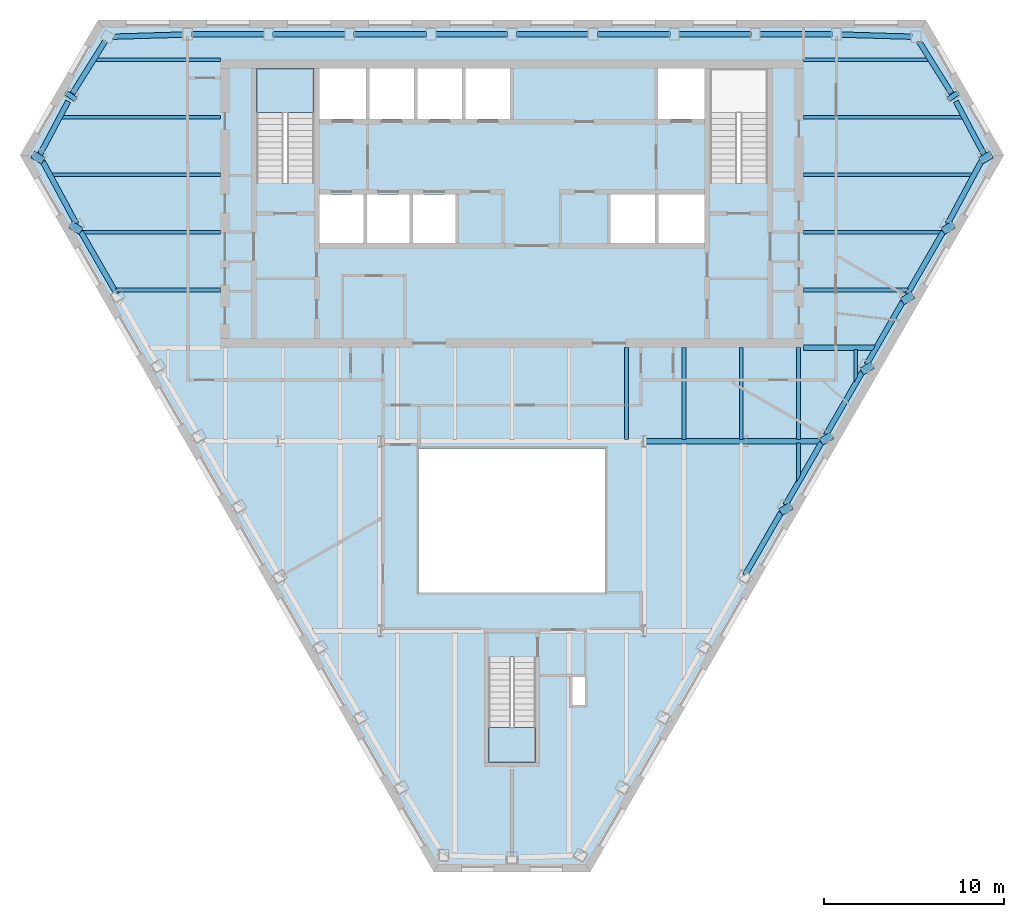
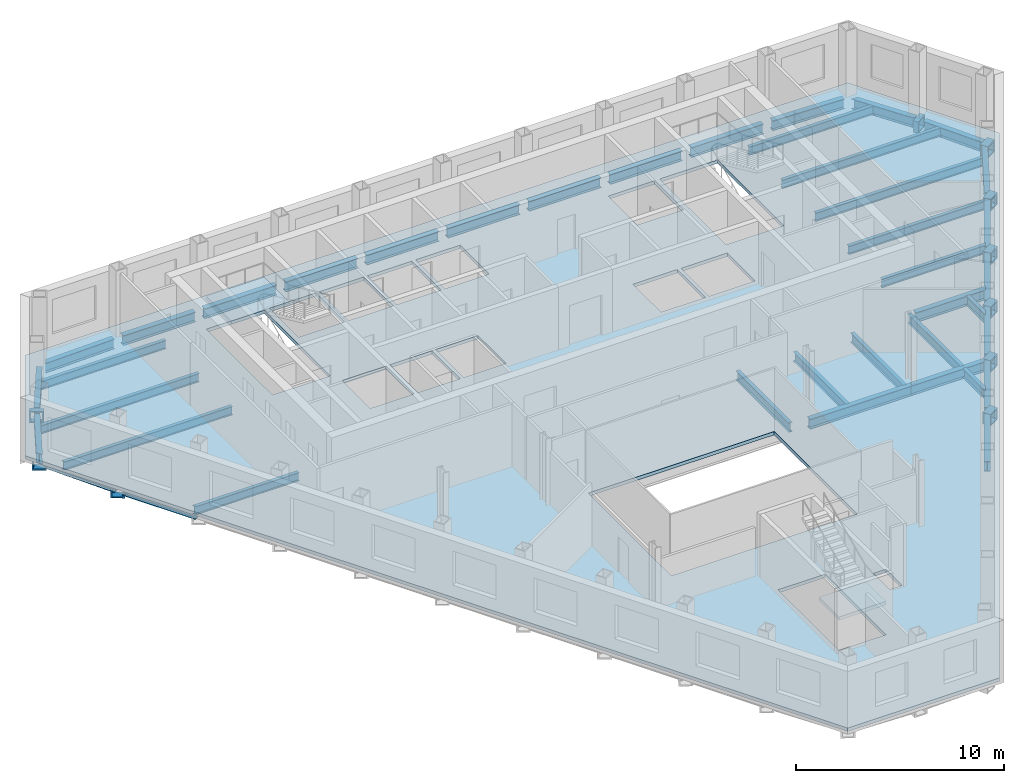
# One storey, part 3 of 11: 51 beams, 3 slabs, 2 elements without a shape of their own.
"""IFC4 building model written with IfcOpenShell, lengths in metres."""

from ifc_helpers import new_model, si_unit, direction, frame, origin, origin_2d, place, context, subcontext, project, spatial, polyline, hollow_rectangle, i_section, outline, extrude, clip, halfspace, material, layer, layer_set, material_profile, profile_set, type_object, element, aggregate, save


model = new_model("IFC4")

# Units and contexts
model_context = context("Model", 3, precision=1e-05, world=origin(), true_north=direction((0.0, 1.0)))
body_context = subcontext(model_context, "Body", "Model", "MODEL_VIEW")
ifc_project = project(units=[si_unit("LENGTHUNIT", "METRE"), si_unit("AREAUNIT", "SQUARE_METRE"), si_unit("VOLUMEUNIT", "CUBIC_METRE"), si_unit("PLANEANGLEUNIT", "RADIAN"), si_unit("MASSUNIT", "GRAM", prefix="KILO")], contexts=[model_context])

# Site, building, storey
site_placement = place(None, origin())
site = spatial("IfcSite", under=ifc_project, at=site_placement, CompositionType="ELEMENT")
building_placement = place(site_placement, origin())
building = spatial("IfcBuilding", under=site, at=building_placement, Name="Njiva Tower", CompositionType="ELEMENT")
storey_placement = place(building_placement, frame((0.0, 0.0, 151.5)))
storey = spatial("IfcBuildingStorey", under=building, at=storey_placement, Name="L32", CompositionType="ELEMENT", Elevation=151.5)

# Beams
ifc_material_1 = material(Name="Steel S355 J2", Category="steel")
ifc_material_profile_1 = material_profile(ifc_material_1, hollow_rectangle(XDim=0.7, YDim=0.7, WallThickness=0.08, at=origin_2d()), Name="BOX 700x700x80")
ifc_profile_set_1 = profile_set([ifc_material_profile_1], Name="Steel S355 J2")
beam_type_1 = type_object("IfcBeamType", Name="B19 Column jog beam BOX 700x700x80", PredefinedType="BEAM", material=ifc_profile_set_1)
beam_1_placement = place(storey_placement, frame((-24.59, 15.862, -0.55), z_axis=(0.550486638041, 0.834843974248, 0.0), x_axis=(-0.834843974248, 0.550486638041, 0.0)))
element("IfcBeam", 1, at=beam_1_placement, inside=storey, type_object=beam_type_1, Name="Column jog beam S11-B024", PredefinedType="BEAM", context=body_context, shape_type="SweptSolid", body=[
    extrude(hollow_rectangle(XDim=0.7, YDim=0.7, WallThickness=0.08, at=origin_2d()), origin(), (0.0, 0.0, 1.0), 0.2743),
])
beam_2_placement = place(storey_placement, frame((-26.449, 12.372, -0.55), z_axis=(0.522782921539, 0.852465845032, 0.0), x_axis=(-0.852465845032, 0.522782921539, 0.0)))
element("IfcBeam", 2, at=beam_2_placement, inside=storey, type_object=beam_type_1, Name="Column jog beam S11-B023", PredefinedType="BEAM", context=body_context, shape_type="SweptSolid", body=[
    extrude(hollow_rectangle(XDim=0.7, YDim=0.7, WallThickness=0.08, at=origin_2d()), origin(), (0.0, 0.0, 1.0), 0.4247),
])
beam_3_placement = place(storey_placement, frame((-24.348, 8.468, -0.55), z_axis=(0.52002159304, 0.85415311436, 0.0), x_axis=(-0.85415311436, 0.52002159304, 0.0)))
element("IfcBeam", 3, at=beam_3_placement, inside=storey, type_object=beam_type_1, Name="Column jog beam S11-B025", PredefinedType="BEAM", context=body_context, shape_type="SweptSolid", body=[
    extrude(hollow_rectangle(XDim=0.7, YDim=0.7, WallThickness=0.08, at=origin_2d()), origin(), (0.0, 0.0, 1.0), 0.425),
])
beam_4_placement = place(storey_placement, frame((15.33, -7.152, -0.55), z_axis=(-0.499387282788, 0.866378867349, 0.0), x_axis=(-0.866378867349, -0.499387282788, 0.0)))
element("IfcBeam", 4, at=beam_4_placement, inside=storey, type_object=beam_type_1, Name="Column jog beam S11-B045", PredefinedType="BEAM", context=body_context, shape_type="SweptSolid", body=[
    extrude(hollow_rectangle(XDim=0.7, YDim=0.7, WallThickness=0.08, at=origin_2d()), origin(), (0.0, 0.0, 1.0), 0.4305),
])
beam_5_placement = place(storey_placement, frame((17.584, -3.247, -0.55), z_axis=(-0.504161245348, 0.863609540643, 0.0), x_axis=(-0.863609540643, -0.504161245348, 0.0)))
element("IfcBeam", 5, at=beam_5_placement, inside=storey, type_object=beam_type_1, Name="Column jog beam S11-B046", PredefinedType="BEAM", context=body_context, shape_type="SweptSolid", body=[
    extrude(hollow_rectangle(XDim=0.7, YDim=0.7, WallThickness=0.08, at=origin_2d()), origin(), (0.0, 0.0, 1.0), 0.4284),
])
beam_6_placement = place(storey_placement, frame((19.839, 0.657, -0.55), z_axis=(-0.510377209409, 0.859950640511, 0.0), x_axis=(-0.859950640511, -0.510377209409, 0.0)))
element("IfcBeam", 6, at=beam_6_placement, inside=storey, type_object=beam_type_1, Name="Column jog beam S11-B047", PredefinedType="BEAM", context=body_context, shape_type="SweptSolid", body=[
    extrude(hollow_rectangle(XDim=0.7, YDim=0.7, WallThickness=0.08, at=origin_2d()), origin(), (0.0, 0.0, 1.0), 0.4291),
])
beam_7_placement = place(storey_placement, frame((22.094, 4.563, -0.55), z_axis=(-0.516220048366, 0.856455989334, 0.0), x_axis=(-0.856455989334, -0.516220048366, 0.0)))
element("IfcBeam", 7, at=beam_7_placement, inside=storey, type_object=beam_type_1, Name="Column jog beam S11-B048", PredefinedType="BEAM", context=body_context, shape_type="SweptSolid", body=[
    extrude(hollow_rectangle(XDim=0.7, YDim=0.7, WallThickness=0.08, at=origin_2d()), origin(), (0.0, 0.0, 1.0), 0.4262),
])
beam_8_placement = place(storey_placement, frame((24.348, 8.468, -0.55), z_axis=(-0.52002159304, 0.85415311436, 0.0), x_axis=(-0.85415311436, -0.52002159304, 0.0)))
element("IfcBeam", 8, at=beam_8_placement, inside=storey, type_object=beam_type_1, Name="Column jog beam S11-B049", PredefinedType="BEAM", context=body_context, shape_type="SweptSolid", body=[
    extrude(hollow_rectangle(XDim=0.7, YDim=0.7, WallThickness=0.08, at=origin_2d()), origin(), (0.0, 0.0, 1.0), 0.425),
])
beam_9_placement = place(storey_placement, frame((26.449, 12.372, -0.55), z_axis=(-0.522782921539, 0.852465845032, 0.0), x_axis=(-0.852465845032, -0.522782921539, 0.0)))
element("IfcBeam", 9, at=beam_9_placement, inside=storey, type_object=beam_type_1, Name="Column jog beam S11-B051", PredefinedType="BEAM", context=body_context, shape_type="SweptSolid", body=[
    extrude(hollow_rectangle(XDim=0.7, YDim=0.7, WallThickness=0.08, at=origin_2d()), origin(), (0.0, 0.0, 1.0), 0.4247),
])
beam_10_placement = place(storey_placement, frame((24.59, 15.862, -0.55), z_axis=(-0.550486638041, 0.834843974248, 0.0), x_axis=(-0.834843974248, -0.550486638041, 0.0)))
element("IfcBeam", 10, at=beam_10_placement, inside=storey, type_object=beam_type_1, Name="Column jog beam S11-B050", PredefinedType="BEAM", context=body_context, shape_type="SweptSolid", body=[
    extrude(hollow_rectangle(XDim=0.7, YDim=0.7, WallThickness=0.08, at=origin_2d()), origin(), (0.0, 0.0, 1.0), 0.2743),
])
ifc_material_profile_2 = material_profile(ifc_material_1, i_section(OverallWidth=0.2, OverallDepth=0.5, WebThickness=0.0102, FlangeThickness=0.016, at=origin_2d()), Name="IPE 500")
ifc_profile_set_2 = profile_set([ifc_material_profile_2], Name="Steel S355 J2")
beam_type_2 = type_object("IfcBeamType", Name="B24 Floor beam to the core IPE 500", PredefinedType="BEAM", material=ifc_profile_set_2)
beam_11_placement = place(storey_placement, frame((-22.054, 5.2, -0.45), z_axis=(1.0, 0.0, 0.0), x_axis=(0.0, 1.0, 0.0)))
element("IfcBeam", 11, at=beam_11_placement, inside=storey, type_object=beam_type_2, Name="Floor beam to the core S11-B006", PredefinedType="BEAM", context=body_context, shape_type="Clipping", body=[
    clip(extrude(i_section(OverallWidth=0.2, OverallDepth=0.5, WebThickness=0.0102, FlangeThickness=0.016, at=origin_2d()), origin(), (0.0, 0.0, 1.0), 5.854), halfspace(frame((-0.025, 0.0, 0.0929), z_axis=(-0.499998009787, 0.0, -0.866026552831), x_axis=(0.0, -1.0, 0.0)), False)),
])
beam_12_placement = place(storey_placement, frame((16.2, 5.2, -0.45), z_axis=(1.0, 0.0, 0.0), x_axis=(0.0, 1.0, 0.0)))
element("IfcBeam", 12, at=beam_12_placement, inside=storey, type_object=beam_type_2, Name="Floor beam to the core S11-B007", PredefinedType="BEAM", context=body_context, shape_type="Clipping", body=[
    clip(extrude(i_section(OverallWidth=0.2, OverallDepth=0.5, WebThickness=0.0102, FlangeThickness=0.016, at=origin_2d()), origin(), (0.0, 0.0, 1.0), 5.854), halfspace(frame((-0.025, 0.0, 5.7611), z_axis=(-0.499998009787, 0.0, 0.866026552831), x_axis=(0.0, 1.0, 0.0)), False)),
])
beam_13_placement = place(storey_placement, frame((-24.216, 8.4, -0.45), z_axis=(1.0, 0.0, 0.0), x_axis=(0.0, 1.0, 0.0)))
element("IfcBeam", 13, at=beam_13_placement, inside=storey, type_object=beam_type_2, Name="Floor beam to the core S11-B003", PredefinedType="BEAM", context=body_context, shape_type="Clipping", body=[
    clip(extrude(i_section(OverallWidth=0.2, OverallDepth=0.5, WebThickness=0.0102, FlangeThickness=0.016, at=origin_2d()), origin(), (0.0, 0.0, 1.0), 8.016), halfspace(frame((0.0433, 0.0, 0.2679), z_axis=(0.866026552831, 0.0, -0.499998009787), x_axis=(0.0, -1.0, 0.0)), False)),
])
beam_14_placement = place(storey_placement, frame((16.2, 8.4, -0.45), z_axis=(1.0, 0.0, 0.0), x_axis=(0.0, 1.0, 0.0)))
element("IfcBeam", 14, at=beam_14_placement, inside=storey, type_object=beam_type_2, Name="Floor beam to the core S11-B009", PredefinedType="BEAM", context=body_context, shape_type="Clipping", body=[
    clip(extrude(i_section(OverallWidth=0.2, OverallDepth=0.5, WebThickness=0.0102, FlangeThickness=0.016, at=origin_2d()), origin(), (0.0, 0.0, 1.0), 8.016), halfspace(frame((0.0433, 0.0, 7.7481), z_axis=(0.866026552831, 0.0, 0.499998009787), x_axis=(0.0, 1.0, 0.0)), False)),
])
beam_15_placement = place(storey_placement, frame((-25.635, 11.6, -0.45), z_axis=(1.0, 0.0, 0.0), x_axis=(0.0, 1.0, 0.0)))
element("IfcBeam", 15, at=beam_15_placement, inside=storey, type_object=beam_type_2, Name="Floor beam to the core S11-B001", PredefinedType="BEAM", context=body_context, shape_type="Clipping", body=[
    clip(extrude(i_section(OverallWidth=0.2, OverallDepth=0.5, WebThickness=0.0102, FlangeThickness=0.016, at=origin_2d()), origin(), (0.0, 0.0, 1.0), 9.435), halfspace(frame((-0.0237, 0.0, 0.0863), z_axis=(-0.47376166762, 0.0, -0.88065309986), x_axis=(0.0, -1.0, 0.0)), False)),
])
beam_16_placement = place(storey_placement, frame((16.2, 11.6, -0.45), z_axis=(1.0, 0.0, 0.0), x_axis=(0.0, 1.0, 0.0)))
element("IfcBeam", 16, at=beam_16_placement, inside=storey, type_object=beam_type_2, Name="Floor beam to the core S11-B010", PredefinedType="BEAM", context=body_context, shape_type="Clipping", body=[
    clip(extrude(i_section(OverallWidth=0.2, OverallDepth=0.5, WebThickness=0.0102, FlangeThickness=0.016, at=origin_2d()), origin(), (0.0, 0.0, 1.0), 9.435), halfspace(frame((-0.0237, 0.0, 9.3487), z_axis=(-0.47376166762, 0.0, 0.88065309986), x_axis=(0.0, 1.0, 0.0)), False)),
])
beam_17_placement = place(storey_placement, frame((-25.092, 14.8, -0.45), z_axis=(1.0, 0.0, 0.0), x_axis=(0.0, 1.0, 0.0)))
element("IfcBeam", 17, at=beam_17_placement, inside=storey, type_object=beam_type_2, Name="Floor beam to the core S11-B002", PredefinedType="BEAM", context=body_context, shape_type="Clipping", body=[
    clip(extrude(i_section(OverallWidth=0.2, OverallDepth=0.5, WebThickness=0.0102, FlangeThickness=0.016, at=origin_2d()), origin(), (0.0, 0.0, 1.0), 8.892), halfspace(frame((0.0235, 0.0, 0.0856), z_axis=(0.469390396119, 0.0, -0.882990745156), x_axis=(0.0, -1.0, 0.0)), False)),
])
beam_18_placement = place(storey_placement, frame((16.2, 14.8, -0.45), z_axis=(1.0, 0.0, 0.0), x_axis=(0.0, 1.0, 0.0)))
element("IfcBeam", 18, at=beam_18_placement, inside=storey, type_object=beam_type_2, Name="Floor beam to the core S11-B011", PredefinedType="BEAM", context=body_context, shape_type="Clipping", body=[
    clip(extrude(i_section(OverallWidth=0.2, OverallDepth=0.5, WebThickness=0.0102, FlangeThickness=0.016, at=origin_2d()), origin(), (0.0, 0.0, 1.0), 8.892), halfspace(frame((0.0235, 0.0, 8.8064), z_axis=(0.469390396119, 0.0, 0.882990745156), x_axis=(0.0, 1.0, 0.0)), False)),
])
beam_19_placement = place(storey_placement, frame((-23.213, 18.0, -0.45), z_axis=(1.0, 0.0, 0.0), x_axis=(0.0, 1.0, 0.0)))
element("IfcBeam", 19, at=beam_19_placement, inside=storey, type_object=beam_type_2, Name="Floor beam to the core S11-B005", PredefinedType="BEAM", context=body_context, shape_type="Clipping", body=[
    clip(extrude(i_section(OverallWidth=0.2, OverallDepth=0.5, WebThickness=0.0102, FlangeThickness=0.016, at=origin_2d()), origin(), (0.0, 0.0, 1.0), 7.013), halfspace(frame((0.0265, 0.0, 0.0994), z_axis=(0.529998940003, 0.0, -0.847998304005), x_axis=(0.0, -1.0, 0.0)), False)),
])
beam_20_placement = place(storey_placement, frame((16.2, 18.0, -0.45), z_axis=(1.0, 0.0, 0.0), x_axis=(0.0, 1.0, 0.0)))
element("IfcBeam", 20, at=beam_20_placement, inside=storey, type_object=beam_type_2, Name="Floor beam to the core S11-B012", PredefinedType="BEAM", context=body_context, shape_type="Clipping", body=[
    clip(extrude(i_section(OverallWidth=0.2, OverallDepth=0.5, WebThickness=0.0102, FlangeThickness=0.016, at=origin_2d()), origin(), (0.0, 0.0, 1.0), 7.013), halfspace(frame((0.0265, 0.0, 6.9136), z_axis=(0.529998940003, 0.0, 0.847998304005), x_axis=(0.0, 1.0, 0.0)), False)),
])
ifc_material_profile_3 = material_profile(ifc_material_1, i_section(OverallWidth=0.3, OverallDepth=0.59, WebThickness=0.013, FlangeThickness=0.025, at=origin_2d()), Name="HEA 600")
ifc_profile_set_3 = profile_set([ifc_material_profile_3], Name="Steel S355 J2")
beam_type_3 = type_object("IfcBeamType", Name="B27 Short-span spandrel beam HEA 600", PredefinedType="SPANDREL", material=ifc_profile_set_3)
beam_21_placement = place(storey_placement, frame((22.212, 19.274, -0.495), z_axis=(-0.999548163201, 0.030057768414, 0.0), x_axis=(-0.030057768414, -0.999548163201, 0.0)))
element("IfcBeam", 21, at=beam_21_placement, inside=storey, type_object=beam_type_3, Name="Short-span spandrel beam S11-B146", PredefinedType="SPANDREL", context=body_context, shape_type="SweptSolid", body=[
    extrude(i_section(OverallWidth=0.3, OverallDepth=0.59, WebThickness=0.013, FlangeThickness=0.025, at=origin_2d()), origin(), (0.0, 0.0, 1.0), 3.9258),
])
beam_22_placement = place(storey_placement, frame((17.784, 19.4, -0.495), z_axis=(-1.0, 0.0, 0.0), x_axis=(0.0, -1.0, 0.0)))
element("IfcBeam", 22, at=beam_22_placement, inside=storey, type_object=beam_type_3, Name="Short-span spandrel beam S11-B140", PredefinedType="SPANDREL", context=body_context, shape_type="SweptSolid", body=[
    extrude(i_section(OverallWidth=0.3, OverallDepth=0.59, WebThickness=0.013, FlangeThickness=0.025, at=origin_2d()), origin(), (0.0, 0.0, 1.0), 4.008),
])
beam_23_placement = place(storey_placement, frame((13.276, 19.4, -0.495), z_axis=(-1.0, 0.0, 0.0), x_axis=(0.0, -1.0, 0.0)))
element("IfcBeam", 23, at=beam_23_placement, inside=storey, type_object=beam_type_3, Name="Short-span spandrel beam S11-B134", PredefinedType="SPANDREL", context=body_context, shape_type="SweptSolid", body=[
    extrude(i_section(OverallWidth=0.3, OverallDepth=0.59, WebThickness=0.013, FlangeThickness=0.025, at=origin_2d()), origin(), (0.0, 0.0, 1.0), 4.009),
])
beam_24_placement = place(storey_placement, frame((8.767, 19.4, -0.495), z_axis=(-1.0, 0.0, 0.0), x_axis=(0.0, -1.0, 0.0)))
element("IfcBeam", 24, at=beam_24_placement, inside=storey, type_object=beam_type_3, Name="Short-span spandrel beam S11-B128", PredefinedType="SPANDREL", context=body_context, shape_type="SweptSolid", body=[
    extrude(i_section(OverallWidth=0.3, OverallDepth=0.59, WebThickness=0.013, FlangeThickness=0.025, at=origin_2d()), origin(), (0.0, 0.0, 1.0), 4.008),
])
for number, where, z_axis, x_axis, name in (
    (25, (4.259, 19.4, -0.495), (-1.0, 0.0, 0.0), (0.0, -1.0, 0.0), "Short-span spandrel beam S11-B124"),
    (26, (-0.25, 19.4, -0.495), (-1.0, 0.0, 0.0), (0.0, -1.0, 0.0), "Short-span spandrel beam S11-B119"),
):
    element("IfcBeam", number, at=place(storey_placement, frame(where, z_axis=z_axis, x_axis=x_axis)), inside=storey, type_object=beam_type_3, Name=name, PredefinedType="SPANDREL", context=body_context, shape_type="SweptSolid", body=[
        extrude(i_section(OverallWidth=0.3, OverallDepth=0.59, WebThickness=0.013, FlangeThickness=0.025, at=origin_2d()), origin(), (0.0, 0.0, 1.0), 4.009),
    ])
beam_25_placement = place(storey_placement, frame((-4.759, 19.4, -0.495), z_axis=(-1.0, 0.0, 0.0), x_axis=(0.0, -1.0, 0.0)))
element("IfcBeam", 27, at=beam_25_placement, inside=storey, type_object=beam_type_3, Name="Short-span spandrel beam S11-B113", PredefinedType="SPANDREL", context=body_context, shape_type="SweptSolid", body=[
    extrude(i_section(OverallWidth=0.3, OverallDepth=0.59, WebThickness=0.013, FlangeThickness=0.025, at=origin_2d()), origin(), (0.0, 0.0, 1.0), 4.008),
])
beam_26_placement = place(storey_placement, frame((-9.267, 19.4, -0.495), z_axis=(-1.0, 0.0, 0.0), x_axis=(0.0, -1.0, 0.0)))
element("IfcBeam", 28, at=beam_26_placement, inside=storey, type_object=beam_type_3, Name="Short-span spandrel beam S11-B107", PredefinedType="SPANDREL", context=body_context, shape_type="SweptSolid", body=[
    extrude(i_section(OverallWidth=0.3, OverallDepth=0.59, WebThickness=0.013, FlangeThickness=0.025, at=origin_2d()), origin(), (0.0, 0.0, 1.0), 4.009),
])
beam_27_placement = place(storey_placement, frame((-13.776, 19.4, -0.495), z_axis=(-1.0, 0.0, 0.0), x_axis=(0.0, -1.0, 0.0)))
element("IfcBeam", 29, at=beam_27_placement, inside=storey, type_object=beam_type_3, Name="Short-span spandrel beam S11-B101", PredefinedType="SPANDREL", context=body_context, shape_type="SweptSolid", body=[
    extrude(i_section(OverallWidth=0.3, OverallDepth=0.59, WebThickness=0.013, FlangeThickness=0.025, at=origin_2d()), origin(), (0.0, 0.0, 1.0), 4.008),
])
beam_28_placement = place(storey_placement, frame((-18.288, 19.392, -0.495), z_axis=(-0.999548579163, -0.030043932724, 0.0), x_axis=(0.030043932724, -0.999548579163, 0.0)))
element("IfcBeam", 30, at=beam_28_placement, inside=storey, type_object=beam_type_3, Name="Short-span spandrel beam S11-B095", PredefinedType="SPANDREL", context=body_context, shape_type="Clipping", body=[
    clip(extrude(i_section(OverallWidth=0.3, OverallDepth=0.59, WebThickness=0.013, FlangeThickness=0.025, at=origin_2d()), origin(), (0.0, 0.0, 1.0), 3.9407), halfspace(frame((-0.0265, 0.0, 3.8112), z_axis=(-0.525791143758, 0.0, 0.850613703832), x_axis=(0.0, 1.0, 0.0)), False)),
])
beam_29_placement = place(storey_placement, frame((-22.594, 19.047, -0.495), z_axis=(-0.529868444347, -0.848079849829, 0.0), x_axis=(0.848079849829, -0.529868444347, 0.0)))
element("IfcBeam", 31, at=beam_29_placement, inside=storey, type_object=beam_type_3, Name="Short-span spandrel beam S11-B091", PredefinedType="SPANDREL", context=body_context, shape_type="SweptSolid", body=[
    extrude(i_section(OverallWidth=0.3, OverallDepth=0.59, WebThickness=0.013, FlangeThickness=0.025, at=origin_2d()), origin(), (0.0, 0.0, 1.0), 3.4443),
])
beam_30_placement = place(storey_placement, frame((-24.664, 15.68, -0.495), z_axis=(-0.46935118492, -0.88301158838, 0.0), x_axis=(0.88301158838, -0.46935118492, 0.0)))
element("IfcBeam", 32, at=beam_30_placement, inside=storey, type_object=beam_type_3, Name="Short-span spandrel beam S11-B087", PredefinedType="SPANDREL", context=body_context, shape_type="Clipping", body=[
    clip(extrude(i_section(OverallWidth=0.3, OverallDepth=0.59, WebThickness=0.013, FlangeThickness=0.025, at=origin_2d()), origin(), (0.0, 0.0, 1.0), 3.4718), halfspace(frame((-0.0269, 0.0, 3.3412), z_axis=(-0.530036823644, 0.0, 0.847974625553), x_axis=(0.0, 1.0, 0.0)), False)),
])
beam_31_placement = place(storey_placement, frame((-26.069, 12.332, -0.495), z_axis=(0.473796152725, -0.880634547166, 0.0), x_axis=(0.880634547166, 0.473796152725, 0.0)))
element("IfcBeam", 33, at=beam_31_placement, inside=storey, type_object=beam_type_3, Name="Short-span spandrel beam S11-B090", PredefinedType="SPANDREL", context=body_context, shape_type="SweptSolid", body=[
    extrude(i_section(OverallWidth=0.3, OverallDepth=0.59, WebThickness=0.013, FlangeThickness=0.025, at=origin_2d()), origin(), (0.0, 0.0, 1.0), 3.9278),
])
beam_32_placement = place(storey_placement, frame((-23.96, 8.437, -0.495), z_axis=(0.500082280366, -0.865977893981, 0.0), x_axis=(0.865977893981, 0.500082280366, 0.0)))
element("IfcBeam", 34, at=beam_32_placement, inside=storey, type_object=beam_type_3, Name="Short-span spandrel beam S11-B094", PredefinedType="SPANDREL", context=body_context, shape_type="SweptSolid", body=[
    extrude(i_section(OverallWidth=0.3, OverallDepth=0.59, WebThickness=0.013, FlangeThickness=0.025, at=origin_2d()), origin(), (0.0, 0.0, 1.0), 4.0093),
])
beam_33_placement = place(storey_placement, frame((12.938, -10.654, -0.495), z_axis=(0.499895202697, 0.866085900082, 0.0), x_axis=(-0.866085900082, 0.499895202697, 0.0)))
element("IfcBeam", 35, at=beam_33_placement, inside=storey, type_object=beam_type_3, Name="Short-span spandrel beam S11-B137", PredefinedType="SPANDREL", context=body_context, shape_type="SweptSolid", body=[
    extrude(i_section(OverallWidth=0.3, OverallDepth=0.59, WebThickness=0.013, FlangeThickness=0.025, at=origin_2d()), origin(), (0.0, 0.0, 1.0), 4.0088),
])
beam_34_placement = place(storey_placement, frame((15.192, -6.749, -0.495), z_axis=(0.500082280366, 0.865977893981, 0.0), x_axis=(-0.865977893981, 0.500082280366, 0.0)))
element("IfcBeam", 36, at=beam_34_placement, inside=storey, type_object=beam_type_3, Name="Short-span spandrel beam S11-B141", PredefinedType="SPANDREL", context=body_context, shape_type="SweptSolid", body=[
    extrude(i_section(OverallWidth=0.3, OverallDepth=0.59, WebThickness=0.013, FlangeThickness=0.025, at=origin_2d()), origin(), (0.0, 0.0, 1.0), 4.0093),
])
beam_35_placement = place(storey_placement, frame((17.447, -2.844, -0.495), z_axis=(0.500003221507, 0.866023543838, 0.0), x_axis=(-0.866023543838, 0.500003221507, 0.0)))
element("IfcBeam", 37, at=beam_35_placement, inside=storey, type_object=beam_type_3, Name="Short-span spandrel beam S11-B143", PredefinedType="SPANDREL", context=body_context, shape_type="SweptSolid", body=[
    extrude(i_section(OverallWidth=0.3, OverallDepth=0.59, WebThickness=0.013, FlangeThickness=0.025, at=origin_2d()), origin(), (0.0, 0.0, 1.0), 4.008),
])
beam_36_placement = place(storey_placement, frame((19.701, 1.06, -0.495), z_axis=(0.499895202697, 0.866085900082, 0.0), x_axis=(-0.866085900082, 0.499895202697, 0.0)))
element("IfcBeam", 38, at=beam_36_placement, inside=storey, type_object=beam_type_3, Name="Short-span spandrel beam S11-B147", PredefinedType="SPANDREL", context=body_context, shape_type="SweptSolid", body=[
    extrude(i_section(OverallWidth=0.3, OverallDepth=0.59, WebThickness=0.013, FlangeThickness=0.025, at=origin_2d()), origin(), (0.0, 0.0, 1.0), 4.0088),
])
beam_37_placement = place(storey_placement, frame((21.955, 4.965, -0.495), z_axis=(0.500082280366, 0.865977893981, 0.0), x_axis=(-0.865977893981, 0.500082280366, 0.0)))
element("IfcBeam", 39, at=beam_37_placement, inside=storey, type_object=beam_type_3, Name="Short-span spandrel beam S11-B149", PredefinedType="SPANDREL", context=body_context, shape_type="SweptSolid", body=[
    extrude(i_section(OverallWidth=0.3, OverallDepth=0.59, WebThickness=0.013, FlangeThickness=0.025, at=origin_2d()), origin(), (0.0, 0.0, 1.0), 4.0093),
])
beam_38_placement = place(storey_placement, frame((24.208, 8.873, -0.495), z_axis=(0.473620796798, 0.880728869085, 0.0), x_axis=(-0.880728869085, 0.473620796798, 0.0)))
element("IfcBeam", 40, at=beam_38_placement, inside=storey, type_object=beam_type_3, Name="Short-span spandrel beam S11-B153", PredefinedType="SPANDREL", context=body_context, shape_type="Clipping", body=[
    clip(extrude(i_section(OverallWidth=0.3, OverallDepth=0.59, WebThickness=0.013, FlangeThickness=0.025, at=origin_2d()), origin(), (0.0, 0.0, 1.0), 4.0972), halfspace(frame((-0.0268, 0.0, 3.9679), z_axis=(-0.525925130681, 0.0, 0.850530867705), x_axis=(0.0, 1.0, 0.0)), False)),
])
beam_39_placement = place(storey_placement, frame((26.258, 12.683, -0.495), z_axis=(-0.469578773407, 0.882890579611, 0.0), x_axis=(-0.882890579611, -0.469578773407, 0.0)))
element("IfcBeam", 41, at=beam_39_placement, inside=storey, type_object=beam_type_3, Name="Short-span spandrel beam S11-B156", PredefinedType="SPANDREL", context=body_context, shape_type="SweptSolid", body=[
    extrude(i_section(OverallWidth=0.3, OverallDepth=0.59, WebThickness=0.013, FlangeThickness=0.025, at=origin_2d()), origin(), (0.0, 0.0, 1.0), 3.3945),
])
beam_40_placement = place(storey_placement, frame((24.419, 16.126, -0.495), z_axis=(-0.529864769162, 0.848082146022, 0.0), x_axis=(-0.848082146022, -0.529864769162, 0.0)))
element("IfcBeam", 42, at=beam_40_placement, inside=storey, type_object=beam_type_3, Name="Short-span spandrel beam S11-B152", PredefinedType="SPANDREL", context=body_context, shape_type="Clipping", body=[
    clip(extrude(i_section(OverallWidth=0.3, OverallDepth=0.59, WebThickness=0.013, FlangeThickness=0.025, at=origin_2d()), origin(), (0.0, 0.0, 1.0), 3.4639), halfspace(frame((-0.0263, 0.0, 3.3335), z_axis=(-0.529864769162, 0.0, 0.848082146022), x_axis=(0.0, 1.0, 0.0)), False)),
])
ifc_material_profile_4 = material_profile(ifc_material_1, i_section(OverallWidth=0.3, OverallDepth=0.59, WebThickness=0.013, FlangeThickness=0.025, at=origin_2d()), Name="HEA 600")
ifc_profile_set_4 = profile_set([ifc_material_profile_4], Name="Steel S355 J2")
beam_type_4 = type_object("IfcBeamType", Name="B28 Floor girder HEA 600", PredefinedType="BEAM", material=ifc_profile_set_4)
beam_41_placement = place(storey_placement, frame((7.32, -3.2, -0.495), z_axis=(1.0, 0.0, 0.0), x_axis=(0.0, 1.0, 0.0)))
element("IfcBeam", 43, at=beam_41_placement, inside=storey, type_object=beam_type_4, Name="Floor girder S11-B019", PredefinedType="BEAM", context=body_context, shape_type="SweptSolid", body=[
    extrude(i_section(OverallWidth=0.3, OverallDepth=0.59, WebThickness=0.013, FlangeThickness=0.025, at=origin_2d()), origin(), (0.0, 0.0, 1.0), 5.68),
])
ifc_material_profile_5 = material_profile(ifc_material_1, i_section(OverallWidth=0.3, OverallDepth=0.59, WebThickness=0.013, FlangeThickness=0.025, at=origin_2d()), Name="HEA 600")
ifc_profile_set_5 = profile_set([ifc_material_profile_5], Name="Steel S355 J2")
beam_type_5 = type_object("IfcBeamType", Name="B29 Short-span floor girder HEA 600", PredefinedType="BEAM", material=ifc_profile_set_5)
beam_42_placement = place(storey_placement, frame((13.0, -3.2, -0.495), z_axis=(1.0, 0.0, 0.0), x_axis=(0.0, 1.0, 0.0)))
element("IfcBeam", 44, at=beam_42_placement, inside=storey, type_object=beam_type_5, Name="Short-span floor girder S11-B021", PredefinedType="BEAM", context=body_context, shape_type="Clipping", body=[
    clip(extrude(i_section(OverallWidth=0.3, OverallDepth=0.59, WebThickness=0.013, FlangeThickness=0.025, at=origin_2d()), origin(), (0.0, 0.0, 1.0), 4.312), halfspace(frame((-0.025, 0.0, 4.1903), z_axis=(-0.499998009787, 0.0, 0.866026552831), x_axis=(0.0, 1.0, 0.0)), False)),
])
beam_43_placement = place(storey_placement, frame((16.2, 2.0, -0.495), z_axis=(1.0, 0.0, 0.0), x_axis=(0.0, 1.0, 0.0)))
element("IfcBeam", 45, at=beam_43_placement, inside=storey, type_object=beam_type_5, Name="Short-span floor girder S11-B022", PredefinedType="BEAM", context=body_context, shape_type="Clipping", body=[
    clip(extrude(i_section(OverallWidth=0.3, OverallDepth=0.59, WebThickness=0.013, FlangeThickness=0.025, at=origin_2d()), origin(), (0.0, 0.0, 1.0), 4.035), halfspace(frame((-0.025, 0.0, 3.9136), z_axis=(-0.499998009787, 0.0, 0.866026552831), x_axis=(0.0, 1.0, 0.0)), False)),
])
ifc_material_profile_6 = material_profile(ifc_material_1, i_section(OverallWidth=0.21, OverallDepth=0.55, WebThickness=0.0111, FlangeThickness=0.0172, at=origin_2d()), Name="IPE 550")
ifc_profile_set_6 = profile_set([ifc_material_profile_6], Name="Steel S355 J2")
beam_type_6 = type_object("IfcBeamType", Name="B31 Short-span floor joist IPE 550", PredefinedType="JOIST", material=ifc_profile_set_6)
beam_44_placement = place(storey_placement, frame((15.917, -3.3, -0.475), z_axis=(0.0, -1.0, 0.0), x_axis=(1.0, 0.0, 0.0)))
element("IfcBeam", 46, at=beam_44_placement, inside=storey, type_object=beam_type_6, Name="Short-span floor joist S11-B078", PredefinedType="JOIST", context=body_context, shape_type="Clipping", body=[
    clip(extrude(i_section(OverallWidth=0.21, OverallDepth=0.55, WebThickness=0.0111, FlangeThickness=0.0172, at=origin_2d()), origin(), (0.0, 0.0, 1.0), 2.196), halfspace(frame((0.043, 0.0, 1.9192), z_axis=(0.866026552831, 0.0, 0.499998009787), x_axis=(0.0, 1.0, 0.0)), False)),
])
beam_45_placement = place(storey_placement, frame((19.1, 1.9, -0.475), z_axis=(0.0, -1.0, 0.0), x_axis=(1.0, 0.0, 0.0)))
element("IfcBeam", 47, at=beam_45_placement, inside=storey, type_object=beam_type_6, Name="Short-span floor joist S11-B080", PredefinedType="JOIST", context=body_context, shape_type="Clipping", body=[
    clip(extrude(i_section(OverallWidth=0.21, OverallDepth=0.55, WebThickness=0.0111, FlangeThickness=0.0172, at=origin_2d()), origin(), (0.0, 0.0, 1.0), 1.883), halfspace(frame((0.0433, 0.0, 1.6055), z_axis=(0.866026552831, 0.0, 0.499998009787), x_axis=(0.0, 1.0, 0.0)), False)),
])
ifc_material_profile_7 = material_profile(ifc_material_1, i_section(OverallWidth=0.21, OverallDepth=0.55, WebThickness=0.0111, FlangeThickness=0.0172, at=origin_2d()), Name="IPE 550")
ifc_profile_set_7 = profile_set([ifc_material_profile_7], Name="Steel S355 J2")
beam_type_7 = type_object("IfcBeamType", Name="B32 Floor joist IPE 550", PredefinedType="JOIST", material=ifc_profile_set_7)
beam_46_placement = place(storey_placement, frame((6.367, 1.995, -0.475), z_axis=(0.0, -1.0, 0.0), x_axis=(1.0, 0.0, 0.0)))
element("IfcBeam", 48, at=beam_46_placement, inside=storey, type_object=beam_type_7, Name="Floor joist S11-B071", PredefinedType="JOIST", context=body_context, shape_type="SweptSolid", body=[
    extrude(i_section(OverallWidth=0.21, OverallDepth=0.55, WebThickness=0.0111, FlangeThickness=0.0172, at=origin_2d()), origin(), (0.0, 0.0, 1.0), 5.094),
])
for number, where, z_axis, x_axis, name in (
    (49, (9.55, 1.995, -0.475), (0.0, -1.0, 0.0), (1.0, 0.0, 0.0), "Floor joist S11-B074"),
    (50, (12.733, 1.995, -0.475), (0.0, -1.0, 0.0), (1.0, 0.0, 0.0), "Floor joist S11-B077"),
    (51, (15.917, 1.995, -0.475), (0.0, -1.0, 0.0), (1.0, 0.0, 0.0), "Floor joist S11-B079"),
):
    element("IfcBeam", number, at=place(storey_placement, frame(where, z_axis=z_axis, x_axis=x_axis)), inside=storey, type_object=beam_type_7, Name=name, PredefinedType="JOIST", context=body_context, shape_type="SweptSolid", body=[
        extrude(i_section(OverallWidth=0.21, OverallDepth=0.55, WebThickness=0.0111, FlangeThickness=0.0172, at=origin_2d()), origin(), (0.0, 0.0, 1.0), 5.095),
    ])

# Stair, slab
ifc_material_2 = material(Name="Concrete C40/50", Category="concrete")
stair_type_1 = type_object("IfcStairType", Name="ST4 Exit stair 1500", PredefinedType="HALF_TURN_STAIR", material=ifc_material_2)
stair_1_placement = place(storey_placement, origin())
stair_1 = element("IfcStair", 52, at=stair_1_placement, inside=storey, type_object=stair_type_1, Name="Stair A", PredefinedType="HALF_TURN_STAIR")
ifc_layer_1 = layer(ifc_material_2, 0.2)
ifc_layer_set_1 = layer_set([ifc_layer_1], Name="Concrete C40/50")
slab_type_1 = type_object("IfcSlabType", Name="FL9 Stair landing 200", PredefinedType="LANDING", material=ifc_layer_set_1)
slab_1_placement = place(storey_placement, frame((0.0, 0.0, 1.75)))
slab_1 = element("IfcSlab", 53, at=slab_1_placement, type_object=slab_type_1, Name="ST-A landing 1", PredefinedType="LANDING", context=body_context, shape_type="SweptSolid", body=[
    extrude(outline(polyline([(-14.206, 15.06), (-10.994, 15.06), (-10.994, 17.5), (-14.206, 17.5), (-14.206, 15.06)])), origin(), (0.0, 0.0, 1.0), 0.2),
])
aggregate(stair_1, [slab_1])

stair_type_2 = type_object("IfcStairType", Name="ST1 Exit stair 1250", PredefinedType="HALF_TURN_STAIR", material=ifc_material_2)
stair_2_placement = place(storey_placement, origin())
stair_2 = element("IfcStair", 54, at=stair_2_placement, inside=storey, type_object=stair_type_2, Name="Stair C", PredefinedType="HALF_TURN_STAIR")
slab_2_placement = place(storey_placement, frame((0.0, 0.0, 1.75)))
slab_2 = element("IfcSlab", 55, at=slab_2_placement, type_object=slab_type_1, Name="ST-C landing 1", PredefinedType="LANDING", context=body_context, shape_type="SweptSolid", body=[
    extrude(outline(polyline([(-1.306, -21.05), (1.306, -21.05), (1.306, -19.12), (-1.306, -19.12), (-1.306, -21.05)])), origin(), (0.0, 0.0, 1.0), 0.2),
])
aggregate(stair_2, [slab_2])

# Slab
ifc_material_3 = material(Name="Concrete C30/37", Category="concrete")
ifc_layer_2 = layer(ifc_material_3, 0.2)
ifc_layer_set_2 = layer_set([ifc_layer_2], Name="Concrete C30/37")
slab_type_2 = type_object("IfcSlabType", Name="SL16 Composite floor slab 200", PredefinedType="FLOOR", material=ifc_layer_set_2)
slab_3_placement = place(storey_placement, frame((0.0, 0.0, -0.2)))
element("IfcSlab", 56, at=slab_3_placement, inside=storey, type_object=slab_type_2, Name="Floor slab L32", PredefinedType="FLOOR", context=body_context, shape_type="SweptSolid", body=[
    extrude(outline(polyline([(27.0752, 12.6829), (4.2101, -26.9206), (-4.2101, -26.9206), (-27.0752, 12.6829), (-22.8651, 19.975), (22.8651, 19.975), (27.0752, 12.6829)]), holes=[polyline([(10.994, 11.13), (14.206, 11.13), (14.206, 17.5), (10.994, 17.5), (10.994, 11.13)]), polyline([(8.125, 14.7), (10.7, 14.7), (10.7, 17.5), (8.125, 17.5), (8.125, 14.7)]), polyline([(8.1333, 7.8), (10.7, 7.8), (10.7, 10.5), (8.1333, 10.5), (8.1333, 7.8)]), polyline([(5.4667, 7.8), (7.9333, 7.8), (7.9333, 10.5), (5.4667, 10.5), (5.4667, 7.8)]), polyline([(5.17, -11.6), (5.17, -3.6), (-5.17, -3.6), (-5.17, -11.6), (5.17, -11.6)]), polyline([(3.35, -17.85), (4.05, -17.85), (4.05, -16.3), (3.35, -16.3), (3.35, -17.85)]), polyline([(-1.306, -21.05), (1.306, -21.05), (1.306, -15.19), (-1.306, -15.19), (-1.306, -21.05)]), polyline([(-2.575, 14.7), (-0.1, 14.7), (-0.1, 17.5), (-2.575, 17.5), (-2.575, 14.7)]), polyline([(-5.25, 14.7), (-2.775, 14.7), (-2.775, 17.5), (-5.25, 17.5), (-5.25, 14.7)]), polyline([(-5.5, 7.8), (-3.15, 7.8), (-3.15, 10.5), (-5.5, 10.5), (-5.5, 7.8)]), polyline([(-7.925, 14.7), (-5.45, 14.7), (-5.45, 17.5), (-7.925, 17.5), (-7.925, 14.7)]), polyline([(-8.05, 7.8), (-5.7, 7.8), (-5.7, 10.5), (-8.05, 10.5), (-8.05, 7.8)]), polyline([(-10.7, 14.7), (-8.125, 14.7), (-8.125, 17.5), (-10.7, 17.5), (-10.7, 14.7)]), polyline([(-8.25, 7.8), (-8.25, 10.5), (-10.7, 10.5), (-10.7, 7.8), (-8.25, 7.8)]), polyline([(-14.206, 11.13), (-10.994, 11.13), (-10.994, 17.5), (-14.206, 17.5), (-14.206, 11.13)])]), origin(), (0.0, 0.0, 1.0), 0.2),
])

save(model, "model.ifc")
